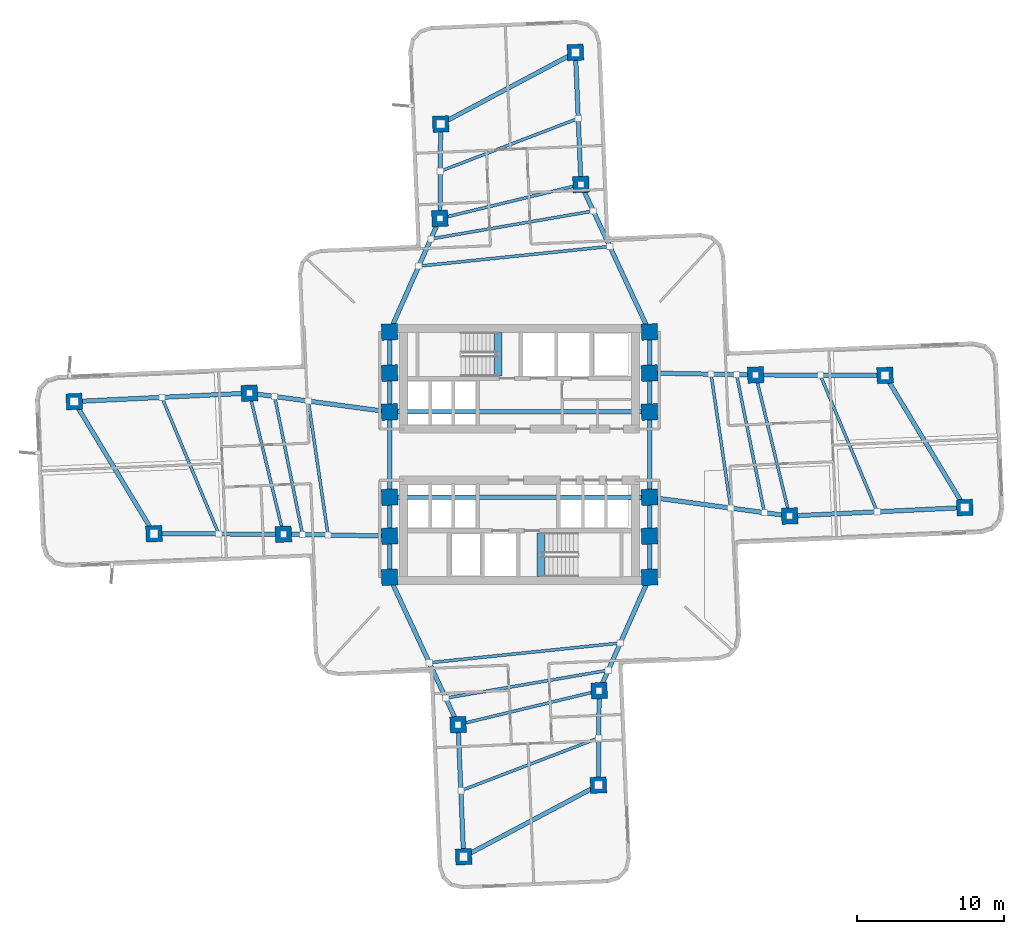
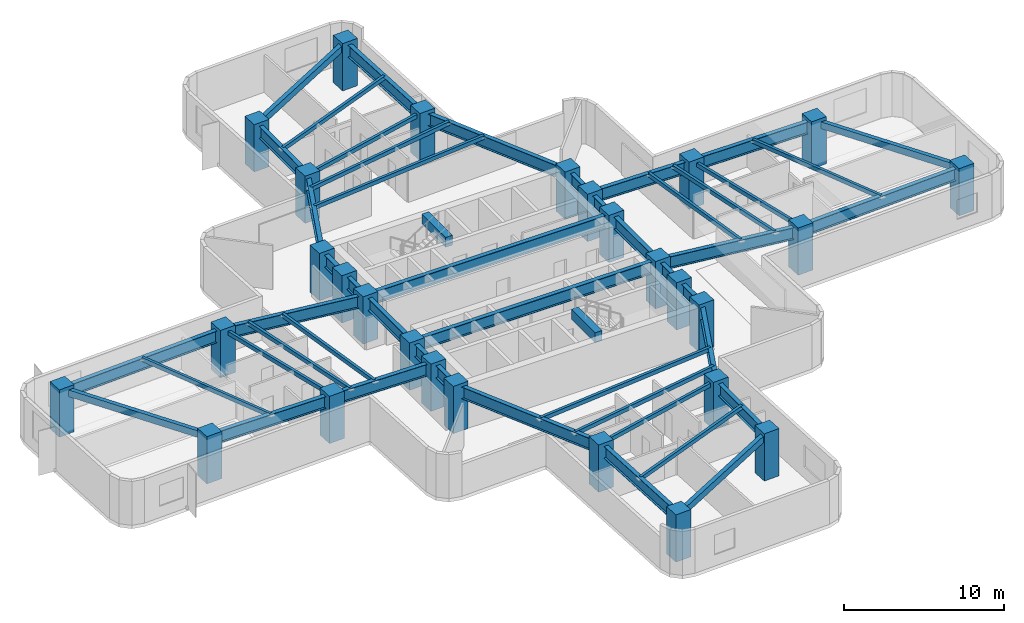
# One storey, part 1 of 10: 50 beams, 28 columns.
"""IFC4 building model written with IfcOpenShell, lengths in metres."""

from ifc_helpers import new_model, si_unit, direction, frame, origin, origin_2d, place, context, subcontext, project, spatial, rectangle, hollow_rectangle, i_section, extrude, material, material_profile, profile_set, type_object, element, save


model = new_model("IFC4")

# Units and contexts
model_context = context("Model", 3, precision=1e-05, world=origin(), true_north=direction((0.0, 1.0)))
body_context = subcontext(model_context, "Body", "Model", "MODEL_VIEW")
ifc_project = project(units=[si_unit("LENGTHUNIT", "METRE"), si_unit("AREAUNIT", "SQUARE_METRE"), si_unit("VOLUMEUNIT", "CUBIC_METRE"), si_unit("PLANEANGLEUNIT", "RADIAN"), si_unit("MASSUNIT", "GRAM", prefix="KILO")], contexts=[model_context])

# Site, building, storey
site_placement = place(None, origin())
site = spatial("IfcSite", under=ifc_project, at=site_placement, CompositionType="ELEMENT")
building_placement = place(site_placement, origin())
building = spatial("IfcBuilding", under=site, at=building_placement, Name="Solmarez Civic Tower", CompositionType="ELEMENT")
storey_placement = place(building_placement, frame((0.0, 0.0, 42.47998046875)))
storey = spatial("IfcBuildingStorey", under=building, at=storey_placement, Name="L10", CompositionType="ELEMENT", Elevation=42.47998046875)

# Columns
ifc_material_1 = material(Name="Concrete C60/75", Category="concrete")
ifc_material_profile_1 = material_profile(ifc_material_1, rectangle(XDim=1.10009765625, YDim=1.10009765625, at=origin_2d()), Name="RC1100X1100")
ifc_profile_set_1 = profile_set([ifc_material_profile_1], Name="Concrete C60/75")
column_type = type_object("IfcColumnType", Name="COL-RC1100", PredefinedType="COLUMN", material=ifc_profile_set_1)
for number, where, z_axis, x_axis, name in (
    (1, (-8.85009765625, -5.550048828125, 0.0), (0.0, 0.0, 1.0), (0.999122830099, 0.041875653729, 0.0), "L10 Structural Column HC1"),
    (2, (-8.85009765625, -2.89990234375, 0.0), (0.0, 0.0, 1.0), (0.999122830099, 0.041875653729, 0.0), "L10 Structural Column HC2"),
    (3, (-8.85009765625, 2.89990234375, 0.0), (0.0, 0.0, 1.0), (0.999122830099, 0.041875653729, 0.0), "L10 Structural Column HC3"),
    (4, (-8.85009765625, 5.550048828125, 0.0), (0.0, 0.0, 1.0), (0.999122830099, 0.041875653729, 0.0), "L10 Structural Column HC4"),
    (5, (8.85009765625, -5.550048828125, 0.0), (0.0, 0.0, 1.0), (0.999122830099, 0.041875653729, 0.0), "L10 Structural Column HC5"),
    (6, (8.85009765625, -2.89990234375, 0.0), (0.0, 0.0, 1.0), (0.999122830099, 0.041875653729, 0.0), "L10 Structural Column HC6"),
    (7, (8.85009765625, 2.89990234375, 0.0), (0.0, 0.0, 1.0), (0.999122830099, 0.041875653729, 0.0), "L10 Structural Column HC7"),
    (8, (8.85009765625, 5.550048828125, 0.0), (0.0, 0.0, 1.0), (0.999122830099, 0.041875653729, 0.0), "L10 Structural Column HC8"),
    (9, (-8.85009765625, 8.35009765625, 0.0), (0.0, 0.0, 1.0), (0.999122830099, 0.041875653729, 0.0), "L10 Structural Column HC9"),
    (10, (8.85009765625, -8.35009765625, 0.0), (0.0, 0.0, 1.0), (0.999122830099, 0.041875653729, 0.0), "L10 Structural Column HC10"),
    (11, (8.85009765625, 8.35009765625, 0.0), (0.0, 0.0, 1.0), (0.999122830099, 0.041875653729, 0.0), "L10 Structural Column HC11"),
    (12, (-8.85009765625, -8.35009765625, 0.0), (0.0, 0.0, 1.0), (0.999122830099, 0.041875653729, 0.0), "L10 Structural Column HC12"),
    (13, (18.39111328125, -4.18408203125, 0.0), (0.0, 0.0, 1.0), (0.999122830099, 0.041875653729, 0.0), "L10 Structural Column EA11"),
    (14, (16.075927734375, 5.4208984375, 0.0), (0.0, 0.0, 1.0), (0.999122830099, 0.041875653729, 0.0), "L10 Structural Column EA12"),
    (15, (30.318115234375, -3.60888671875, 0.0), (0.0, 0.0, 1.0), (0.999122830099, 0.041875653729, 0.0), "L10 Structural Column EA21"),
    (16, (24.887939453125, 5.39306640625, 0.0), (0.0, 0.0, 1.0), (0.999122830099, 0.041875653729, 0.0), "L10 Structural Column EA22"),
    (17, (4.18408203125, 18.39111328125, 0.0), (0.0, 0.0, 1.0), (0.999122830099, 0.041875653729, 0.0), "L10 Structural Column NA11"),
    (18, (-5.4208984375, 16.075927734375, 0.0), (0.0, 0.0, 1.0), (0.999122830099, 0.041875653729, 0.0), "L10 Structural Column NA12"),
    (19, (3.806884765625, 27.383056640625, 0.0), (0.0, 0.0, 1.0), (0.999122830099, 0.041875653729, 0.0), "L10 Structural Column NA21"),
    (20, (-5.3720703125, 22.507080078125, 0.0), (0.0, 0.0, 1.0), (0.999122830099, 0.041875653729, 0.0), "L10 Structural Column NA22"),
    (21, (-18.39111328125, 4.18408203125, 0.0), (0.0, 0.0, 1.0), (0.999122830099, 0.041875653729, 0.0), "L10 Structural Column WA11"),
    (22, (-16.075927734375, -5.4208984375, 0.0), (0.0, 0.0, 1.0), (0.999122830099, 0.041875653729, 0.0), "L10 Structural Column WA12"),
    (23, (-30.318115234375, 3.60888671875, 0.0), (0.0, 0.0, 1.0), (0.999122830099, 0.041875653729, 0.0), "L10 Structural Column WA21"),
    (24, (-24.887939453125, -5.39306640625, 0.0), (0.0, 0.0, 1.0), (0.999122830099, 0.041875653729, 0.0), "L10 Structural Column WA22"),
    (25, (-4.18408203125, -18.39111328125, 0.0), (0.0, 0.0, 1.0), (0.999122830099, 0.041875653729, 0.0), "L10 Structural Column SA11"),
    (26, (5.4208984375, -16.075927734375, 0.0), (0.0, 0.0, 1.0), (0.999122830099, 0.041875653729, 0.0), "L10 Structural Column SA12"),
    (27, (-3.806884765625, -27.383056640625, 0.0), (0.0, 0.0, 1.0), (0.999122830099, 0.041875653729, 0.0), "L10 Structural Column SA21"),
    (28, (5.3720703125, -22.507080078125, 0.0), (0.0, 0.0, 1.0), (0.999122830099, 0.041875653729, 0.0), "L10 Structural Column SA22"),
):
    element("IfcColumn", number, at=place(storey_placement, frame(where, z_axis=z_axis, x_axis=x_axis)), inside=storey, type_object=column_type, Name=name, PredefinedType="COLUMN", context=body_context, shape_type="SweptSolid", body=[
        extrude(rectangle(XDim=1.10009765625, YDim=1.10009765625, at=origin_2d()), origin(), (0.0, 0.0, 1.0), 3.60009765625),
    ])

# Beams
ifc_material_2 = material(Name="Steel S355", Category="steel")
ifc_material_profile_2 = material_profile(ifc_material_2, hollow_rectangle(XDim=0.199951171875, YDim=0.300048828125, WallThickness=0.011962890625, at=origin_2d()), Name="HSS300X200X12")
ifc_profile_set_2 = profile_set([ifc_material_profile_2], Name="Steel S355")
beam_type_1 = type_object("IfcBeamType", Name="BM-JS-HSS300X200", PredefinedType="JOIST", material=ifc_profile_set_2)
beam_1_placement = place(storey_placement, frame((18.39111328125, -4.18408203125, 3.18994140625), z_axis=(-0.234328919867, 0.97215737271, 0.0), x_axis=(-0.97215737271, -0.234328919867, 0.0)))
element("IfcBeam", 29, at=beam_1_placement, inside=storey, type_object=beam_type_1, Name="L10 Secondary Floor Joist BM-L10-EA-T1", PredefinedType="JOIST", context=body_context, shape_type="SweptSolid", body=[
    extrude(hollow_rectangle(XDim=0.199951171875, YDim=0.300048828125, WallThickness=0.011962890625, at=origin_2d()), origin(), (0.0, 0.0, 1.0), 9.880126953125),
])
beam_2_placement = place(storey_placement, frame((24.35498046875, -3.89697265625, 3.18994140625), z_axis=(-0.384310898391, 0.923203733408, 0.0), x_axis=(-0.923203733408, -0.384310898391, 0.0)))
element("IfcBeam", 30, at=beam_2_placement, inside=storey, type_object=beam_type_1, Name="L10 Secondary Floor Joist JS-L10-EA-M2", PredefinedType="JOIST", context=body_context, shape_type="SweptSolid", body=[
    extrude(hollow_rectangle(XDim=0.199951171875, YDim=0.300048828125, WallThickness=0.011962890625, at=origin_2d()), origin(), (0.0, 0.0, 1.0), 10.077880859375),
])
beam_3_placement = place(storey_placement, frame((14.384033203125, -3.64501953125, 3.18994140625), z_axis=(-0.145687649447, 0.989330636743, 0.0), x_axis=(-0.989330636743, -0.145687649447, 0.0)))
element("IfcBeam", 31, at=beam_3_placement, inside=storey, type_object=beam_type_1, Name="L10 Secondary Floor Joist JS-L10-EA-M11", PredefinedType="JOIST", context=body_context, shape_type="SweptSolid", body=[
    extrude(hollow_rectangle(XDim=0.199951171875, YDim=0.300048828125, WallThickness=0.011962890625, at=origin_2d()), origin(), (0.0, 0.0, 1.0), 9.218505859375),
])
beam_4_placement = place(storey_placement, frame((16.674072265625, -3.952880859375, 3.18994140625), z_axis=(-0.198099134772, 0.980181989634, 0.0), x_axis=(-0.980181989634, -0.198099134772, 0.0)))
element("IfcBeam", 32, at=beam_4_placement, inside=storey, type_object=beam_type_1, Name="L10 Secondary Floor Joist JS-L10-EA-M12", PredefinedType="JOIST", context=body_context, shape_type="SweptSolid", body=[
    extrude(hollow_rectangle(XDim=0.199951171875, YDim=0.300048828125, WallThickness=0.011962890625, at=origin_2d()), origin(), (0.0, 0.0, 1.0), 9.5869140625),
])
beam_5_placement = place(storey_placement, frame((4.18408203125, 18.39111328125, 3.18994140625), z_axis=(-0.97215737271, -0.234328919867, 0.0), x_axis=(0.234328919867, -0.97215737271, 0.0)))
element("IfcBeam", 33, at=beam_5_placement, inside=storey, type_object=beam_type_1, Name="L10 Secondary Floor Joist BM-L10-NA-T1", PredefinedType="JOIST", context=body_context, shape_type="SweptSolid", body=[
    extrude(hollow_rectangle(XDim=0.199951171875, YDim=0.300048828125, WallThickness=0.011962890625, at=origin_2d()), origin(), (0.0, 0.0, 1.0), 9.880126953125),
])
beam_6_placement = place(storey_placement, frame((3.9951171875, 22.886962890625, 3.18994140625), z_axis=(-0.933878315551, -0.357590955903, 0.0), x_axis=(0.357590955903, -0.933878315551, 0.0)))
element("IfcBeam", 34, at=beam_6_placement, inside=storey, type_object=beam_type_1, Name="L10 Secondary Floor Joist JS-L10-NA-M2", PredefinedType="JOIST", context=body_context, shape_type="SweptSolid", body=[
    extrude(hollow_rectangle(XDim=0.199951171875, YDim=0.300048828125, WallThickness=0.011962890625, at=origin_2d()), origin(), (0.0, 0.0, 1.0), 10.05615234375),
])
beam_7_placement = place(storey_placement, frame((6.14404296875, 14.174072265625, 3.18994140625), z_axis=(-0.9947100999, -0.102722038325, 0.0), x_axis=(0.102722038325, -0.9947100999, 0.0)))
element("IfcBeam", 35, at=beam_7_placement, inside=storey, type_object=beam_type_1, Name="L10 Secondary Floor Joist JS-L10-NA-M11", PredefinedType="JOIST", context=body_context, shape_type="SweptSolid", body=[
    extrude(hollow_rectangle(XDim=0.199951171875, YDim=0.300048828125, WallThickness=0.011962890625, at=origin_2d()), origin(), (0.0, 0.0, 1.0), 13.07421875),
])
beam_8_placement = place(storey_placement, frame((5.02392578125, 16.583984375, 3.18994140625), z_axis=(-0.985583934907, -0.169187195889, 0.0), x_axis=(0.169187195889, -0.985583934907, 0.0)))
element("IfcBeam", 36, at=beam_8_placement, inside=storey, type_object=beam_type_1, Name="L10 Secondary Floor Joist JS-L10-NA-M12", PredefinedType="JOIST", context=body_context, shape_type="SweptSolid", body=[
    extrude(hollow_rectangle(XDim=0.199951171875, YDim=0.300048828125, WallThickness=0.011962890625, at=origin_2d()), origin(), (0.0, 0.0, 1.0), 11.223876953125),
])
beam_9_placement = place(storey_placement, frame((-18.39111328125, 4.18408203125, 3.18994140625), z_axis=(0.234328919867, -0.97215737271, 0.0), x_axis=(0.97215737271, 0.234328919867, 0.0)))
element("IfcBeam", 37, at=beam_9_placement, inside=storey, type_object=beam_type_1, Name="L10 Secondary Floor Joist BM-L10-WA-T1", PredefinedType="JOIST", context=body_context, shape_type="SweptSolid", body=[
    extrude(hollow_rectangle(XDim=0.199951171875, YDim=0.300048828125, WallThickness=0.011962890625, at=origin_2d()), origin(), (0.0, 0.0, 1.0), 9.880126953125),
])
beam_10_placement = place(storey_placement, frame((-24.35498046875, 3.89697265625, 3.18994140625), z_axis=(0.384310898391, -0.923203733408, 0.0), x_axis=(0.923203733408, 0.384310898391, 0.0)))
element("IfcBeam", 38, at=beam_10_placement, inside=storey, type_object=beam_type_1, Name="L10 Secondary Floor Joist JS-L10-WA-M2", PredefinedType="JOIST", context=body_context, shape_type="SweptSolid", body=[
    extrude(hollow_rectangle(XDim=0.199951171875, YDim=0.300048828125, WallThickness=0.011962890625, at=origin_2d()), origin(), (0.0, 0.0, 1.0), 10.077880859375),
])
beam_11_placement = place(storey_placement, frame((-14.384033203125, 3.64501953125, 3.18994140625), z_axis=(0.145687649447, -0.989330636743, 0.0), x_axis=(0.989330636743, 0.145687649447, 0.0)))
element("IfcBeam", 39, at=beam_11_placement, inside=storey, type_object=beam_type_1, Name="L10 Secondary Floor Joist JS-L10-WA-M11", PredefinedType="JOIST", context=body_context, shape_type="SweptSolid", body=[
    extrude(hollow_rectangle(XDim=0.199951171875, YDim=0.300048828125, WallThickness=0.011962890625, at=origin_2d()), origin(), (0.0, 0.0, 1.0), 9.218505859375),
])
beam_12_placement = place(storey_placement, frame((-16.674072265625, 3.952880859375, 3.18994140625), z_axis=(0.198099134772, -0.980181989634, 0.0), x_axis=(0.980181989634, 0.198099134772, 0.0)))
element("IfcBeam", 40, at=beam_12_placement, inside=storey, type_object=beam_type_1, Name="L10 Secondary Floor Joist JS-L10-WA-M12", PredefinedType="JOIST", context=body_context, shape_type="SweptSolid", body=[
    extrude(hollow_rectangle(XDim=0.199951171875, YDim=0.300048828125, WallThickness=0.011962890625, at=origin_2d()), origin(), (0.0, 0.0, 1.0), 9.5869140625),
])
beam_13_placement = place(storey_placement, frame((-4.18408203125, -18.39111328125, 3.18994140625), z_axis=(0.97215737271, 0.234328919867, 0.0), x_axis=(-0.234328919867, 0.97215737271, 0.0)))
element("IfcBeam", 41, at=beam_13_placement, inside=storey, type_object=beam_type_1, Name="L10 Secondary Floor Joist BM-L10-SA-T1", PredefinedType="JOIST", context=body_context, shape_type="SweptSolid", body=[
    extrude(hollow_rectangle(XDim=0.199951171875, YDim=0.300048828125, WallThickness=0.011962890625, at=origin_2d()), origin(), (0.0, 0.0, 1.0), 9.880126953125),
])
beam_14_placement = place(storey_placement, frame((-3.9951171875, -22.886962890625, 3.18994140625), z_axis=(0.933878315551, 0.357590955903, 0.0), x_axis=(-0.357590955903, 0.933878315551, 0.0)))
element("IfcBeam", 42, at=beam_14_placement, inside=storey, type_object=beam_type_1, Name="L10 Secondary Floor Joist JS-L10-SA-M2", PredefinedType="JOIST", context=body_context, shape_type="SweptSolid", body=[
    extrude(hollow_rectangle(XDim=0.199951171875, YDim=0.300048828125, WallThickness=0.011962890625, at=origin_2d()), origin(), (0.0, 0.0, 1.0), 10.05615234375),
])
beam_15_placement = place(storey_placement, frame((-6.14404296875, -14.174072265625, 3.18994140625), z_axis=(0.9947100999, 0.102722038325, 0.0), x_axis=(-0.102722038325, 0.9947100999, 0.0)))
element("IfcBeam", 43, at=beam_15_placement, inside=storey, type_object=beam_type_1, Name="L10 Secondary Floor Joist JS-L10-SA-M11", PredefinedType="JOIST", context=body_context, shape_type="SweptSolid", body=[
    extrude(hollow_rectangle(XDim=0.199951171875, YDim=0.300048828125, WallThickness=0.011962890625, at=origin_2d()), origin(), (0.0, 0.0, 1.0), 13.07421875),
])
beam_16_placement = place(storey_placement, frame((-5.02392578125, -16.583984375, 3.18994140625), z_axis=(0.985583934907, 0.169187195889, 0.0), x_axis=(-0.169187195889, 0.985583934907, 0.0)))
element("IfcBeam", 44, at=beam_16_placement, inside=storey, type_object=beam_type_1, Name="L10 Secondary Floor Joist JS-L10-SA-M12", PredefinedType="JOIST", context=body_context, shape_type="SweptSolid", body=[
    extrude(hollow_rectangle(XDim=0.199951171875, YDim=0.300048828125, WallThickness=0.011962890625, at=origin_2d()), origin(), (0.0, 0.0, 1.0), 11.223876953125),
])
ifc_material_3 = material(Name="Concrete C50/60", Category="concrete")
ifc_material_profile_3 = material_profile(ifc_material_3, rectangle(XDim=0.5, YDim=0.75, at=origin_2d()), Name="RC500X750")
ifc_profile_set_3 = profile_set([ifc_material_profile_3], Name="Concrete C50/60")
beam_type_2 = type_object("IfcBeamType", Name="BM-PR-RC500X750", PredefinedType="BEAM", material=ifc_profile_set_3)
for number, where, z_axis, x_axis, name in (
    (45, (-1.449951171875, 5.340087890625, 3.23291015625), (0.0, 1.0, 0.0), (-1.0, 0.0, 0.0), "L10 North Stair Threshold Beam"),
    (46, (1.449951171875, -8.300048828125, 3.23291015625), (0.0, 1.0, 0.0), (-1.0, 0.0, 0.0), "L10 South Stair Threshold Beam"),
):
    element("IfcBeam", number, at=place(storey_placement, frame(where, z_axis=z_axis, x_axis=x_axis)), inside=storey, type_object=beam_type_2, Name=name, PredefinedType="BEAM", context=body_context, shape_type="SweptSolid", body=[
        extrude(rectangle(XDim=0.5, YDim=0.75, at=origin_2d()), origin(), (0.0, 0.0, 1.0), 2.9599609375),
    ])
ifc_material_profile_4 = material_profile(ifc_material_2, i_section(OverallWidth=0.303955078125, OverallDepth=0.910888671875, WebThickness=0.015869140625, FlangeThickness=0.02392578125, at=origin_2d()), Name="W36X150")
ifc_profile_set_4 = profile_set([ifc_material_profile_4], Name="Steel S355")
beam_type_3 = type_object("IfcBeamType", Name="BM-PR-W36X150", PredefinedType="BEAM", material=ifc_profile_set_4)
beam_17_placement = place(storey_placement, frame((8.85009765625, -2.89990234375, 2.884033203125), z_axis=(0.991063240718, -0.133392851745, 0.0), x_axis=(0.133392851745, 0.991063240718, 0.0)))
element("IfcBeam", 47, at=beam_17_placement, inside=storey, type_object=beam_type_3, Name="L10 Primary Floor Beam BM-L10-EA-R1A", PredefinedType="BEAM", context=body_context, shape_type="SweptSolid", body=[
    extrude(i_section(OverallWidth=0.303955078125, OverallDepth=0.910888671875, WebThickness=0.015869140625, FlangeThickness=0.02392578125, at=origin_2d()), origin(), (0.0, 0.0, 1.0), 9.626953125),
])
beam_18_placement = place(storey_placement, frame((8.85009765625, 5.550048828125, 2.884033203125), z_axis=(0.999840308455, -0.017870578882, 0.0), x_axis=(0.017870578882, 0.999840308455, 0.0)))
element("IfcBeam", 48, at=beam_18_placement, inside=storey, type_object=beam_type_3, Name="L10 Primary Floor Beam BM-L10-EA-R1B", PredefinedType="BEAM", context=body_context, shape_type="SweptSolid", body=[
    extrude(i_section(OverallWidth=0.303955078125, OverallDepth=0.910888671875, WebThickness=0.015869140625, FlangeThickness=0.02392578125, at=origin_2d()), origin(), (0.0, 0.0, 1.0), 7.22705078125),
])
beam_19_placement = place(storey_placement, frame((18.39111328125, -4.18408203125, 2.884033203125), z_axis=(0.998839135977, 0.048170327398, 0.0), x_axis=(-0.048170327398, 0.998839135977, 0.0)))
element("IfcBeam", 49, at=beam_19_placement, inside=storey, type_object=beam_type_3, Name="L10 Primary Floor Beam BM-L10-EA-R2A", PredefinedType="BEAM", context=body_context, shape_type="SweptSolid", body=[
    extrude(i_section(OverallWidth=0.303955078125, OverallDepth=0.910888671875, WebThickness=0.015869140625, FlangeThickness=0.02392578125, at=origin_2d()), origin(), (0.0, 0.0, 1.0), 11.94091796875),
])
beam_20_placement = place(storey_placement, frame((16.075927734375, 5.4208984375, 2.884033203125), z_axis=(0.99999501223, -0.003158403928, 0.0), x_axis=(0.003158403928, 0.99999501223, 0.0)))
element("IfcBeam", 50, at=beam_20_placement, inside=storey, type_object=beam_type_3, Name="L10 Primary Floor Beam BM-L10-EA-R2B", PredefinedType="BEAM", context=body_context, shape_type="SweptSolid", body=[
    extrude(i_section(OverallWidth=0.303955078125, OverallDepth=0.910888671875, WebThickness=0.015869140625, FlangeThickness=0.02392578125, at=origin_2d()), origin(), (0.0, 0.0, 1.0), 8.81201171875),
])
beam_21_placement = place(storey_placement, frame((8.85009765625, 8.35009765625, 2.884033203125), z_axis=(-0.421417065364, 0.906866945599, 0.0), x_axis=(-0.906866945599, -0.421417065364, 0.0)))
element("IfcBeam", 51, at=beam_21_placement, inside=storey, type_object=beam_type_3, Name="L10 Primary Floor Beam BM-L10-NA-R1A", PredefinedType="BEAM", context=body_context, shape_type="SweptSolid", body=[
    extrude(i_section(OverallWidth=0.303955078125, OverallDepth=0.910888671875, WebThickness=0.015869140625, FlangeThickness=0.02392578125, at=origin_2d()), origin(), (0.0, 0.0, 1.0), 11.072265625),
])
beam_22_placement = place(storey_placement, frame((-8.85009765625, 8.35009765625, 2.884033203125), z_axis=(0.405693556952, 0.914009156326, 0.0), x_axis=(-0.914009156326, 0.405693556952, 0.0)))
element("IfcBeam", 52, at=beam_22_placement, inside=storey, type_object=beam_type_3, Name="L10 Primary Floor Beam BM-L10-NA-R1B", PredefinedType="BEAM", context=body_context, shape_type="SweptSolid", body=[
    extrude(i_section(OverallWidth=0.303955078125, OverallDepth=0.910888671875, WebThickness=0.015869140625, FlangeThickness=0.02392578125, at=origin_2d()), origin(), (0.0, 0.0, 1.0), 8.45263671875),
])
beam_23_placement = place(storey_placement, frame((4.18408203125, 18.39111328125, 2.884033203125), z_axis=(-0.041911499832, 0.999121327058, 0.0), x_axis=(-0.999121327058, -0.041911499832, 0.0)))
element("IfcBeam", 53, at=beam_23_placement, inside=storey, type_object=beam_type_3, Name="L10 Primary Floor Beam BM-L10-NA-R2A", PredefinedType="BEAM", context=body_context, shape_type="SweptSolid", body=[
    extrude(i_section(OverallWidth=0.303955078125, OverallDepth=0.910888671875, WebThickness=0.015869140625, FlangeThickness=0.02392578125, at=origin_2d()), origin(), (0.0, 0.0, 1.0), 8.999755859375),
])
beam_24_placement = place(storey_placement, frame((-5.4208984375, 16.075927734375, 2.884033203125), z_axis=(0.007592219108, 0.999971178689, 0.0), x_axis=(-0.999971178689, 0.007592219108, 0.0)))
element("IfcBeam", 54, at=beam_24_placement, inside=storey, type_object=beam_type_3, Name="L10 Primary Floor Beam BM-L10-NA-R2B", PredefinedType="BEAM", context=body_context, shape_type="SweptSolid", body=[
    extrude(i_section(OverallWidth=0.303955078125, OverallDepth=0.910888671875, WebThickness=0.015869140625, FlangeThickness=0.02392578125, at=origin_2d()), origin(), (0.0, 0.0, 1.0), 6.431396484375),
])
beam_25_placement = place(storey_placement, frame((-8.85009765625, 2.89990234375, 2.884033203125), z_axis=(-0.991063240718, 0.133392851745, 0.0), x_axis=(-0.133392851745, -0.991063240718, 0.0)))
element("IfcBeam", 55, at=beam_25_placement, inside=storey, type_object=beam_type_3, Name="L10 Primary Floor Beam BM-L10-WA-R1A", PredefinedType="BEAM", context=body_context, shape_type="SweptSolid", body=[
    extrude(i_section(OverallWidth=0.303955078125, OverallDepth=0.910888671875, WebThickness=0.015869140625, FlangeThickness=0.02392578125, at=origin_2d()), origin(), (0.0, 0.0, 1.0), 9.626953125),
])
beam_26_placement = place(storey_placement, frame((-8.85009765625, -5.550048828125, 2.884033203125), z_axis=(-0.999840308455, 0.017870578882, 0.0), x_axis=(-0.017870578882, -0.999840308455, 0.0)))
element("IfcBeam", 56, at=beam_26_placement, inside=storey, type_object=beam_type_3, Name="L10 Primary Floor Beam BM-L10-WA-R1B", PredefinedType="BEAM", context=body_context, shape_type="SweptSolid", body=[
    extrude(i_section(OverallWidth=0.303955078125, OverallDepth=0.910888671875, WebThickness=0.015869140625, FlangeThickness=0.02392578125, at=origin_2d()), origin(), (0.0, 0.0, 1.0), 7.22705078125),
])
beam_27_placement = place(storey_placement, frame((-18.39111328125, 4.18408203125, 2.884033203125), z_axis=(-0.998839135977, -0.048170327398, 0.0), x_axis=(0.048170327398, -0.998839135977, 0.0)))
element("IfcBeam", 57, at=beam_27_placement, inside=storey, type_object=beam_type_3, Name="L10 Primary Floor Beam BM-L10-WA-R2A", PredefinedType="BEAM", context=body_context, shape_type="SweptSolid", body=[
    extrude(i_section(OverallWidth=0.303955078125, OverallDepth=0.910888671875, WebThickness=0.015869140625, FlangeThickness=0.02392578125, at=origin_2d()), origin(), (0.0, 0.0, 1.0), 11.94091796875),
])
beam_28_placement = place(storey_placement, frame((-16.075927734375, -5.4208984375, 2.884033203125), z_axis=(-0.99999501223, 0.003158403928, 0.0), x_axis=(-0.003158403928, -0.99999501223, 0.0)))
element("IfcBeam", 58, at=beam_28_placement, inside=storey, type_object=beam_type_3, Name="L10 Primary Floor Beam BM-L10-WA-R2B", PredefinedType="BEAM", context=body_context, shape_type="SweptSolid", body=[
    extrude(i_section(OverallWidth=0.303955078125, OverallDepth=0.910888671875, WebThickness=0.015869140625, FlangeThickness=0.02392578125, at=origin_2d()), origin(), (0.0, 0.0, 1.0), 8.81201171875),
])
beam_29_placement = place(storey_placement, frame((-8.85009765625, -8.35009765625, 2.884033203125), z_axis=(0.421417065364, -0.906866945599, 0.0), x_axis=(0.906866945599, 0.421417065364, 0.0)))
element("IfcBeam", 59, at=beam_29_placement, inside=storey, type_object=beam_type_3, Name="L10 Primary Floor Beam BM-L10-SA-R1A", PredefinedType="BEAM", context=body_context, shape_type="SweptSolid", body=[
    extrude(i_section(OverallWidth=0.303955078125, OverallDepth=0.910888671875, WebThickness=0.015869140625, FlangeThickness=0.02392578125, at=origin_2d()), origin(), (0.0, 0.0, 1.0), 11.072265625),
])
beam_30_placement = place(storey_placement, frame((8.85009765625, -8.35009765625, 2.884033203125), z_axis=(-0.405693556952, -0.914009156326, 0.0), x_axis=(0.914009156326, -0.405693556952, 0.0)))
element("IfcBeam", 60, at=beam_30_placement, inside=storey, type_object=beam_type_3, Name="L10 Primary Floor Beam BM-L10-SA-R1B", PredefinedType="BEAM", context=body_context, shape_type="SweptSolid", body=[
    extrude(i_section(OverallWidth=0.303955078125, OverallDepth=0.910888671875, WebThickness=0.015869140625, FlangeThickness=0.02392578125, at=origin_2d()), origin(), (0.0, 0.0, 1.0), 8.45263671875),
])
beam_31_placement = place(storey_placement, frame((-4.18408203125, -18.39111328125, 2.884033203125), z_axis=(0.041911499832, -0.999121327058, 0.0), x_axis=(0.999121327058, 0.041911499832, 0.0)))
element("IfcBeam", 61, at=beam_31_placement, inside=storey, type_object=beam_type_3, Name="L10 Primary Floor Beam BM-L10-SA-R2A", PredefinedType="BEAM", context=body_context, shape_type="SweptSolid", body=[
    extrude(i_section(OverallWidth=0.303955078125, OverallDepth=0.910888671875, WebThickness=0.015869140625, FlangeThickness=0.02392578125, at=origin_2d()), origin(), (0.0, 0.0, 1.0), 8.999755859375),
])
beam_32_placement = place(storey_placement, frame((5.4208984375, -16.075927734375, 2.884033203125), z_axis=(-0.007592219108, -0.999971178689, 0.0), x_axis=(0.999971178689, -0.007592219108, 0.0)))
element("IfcBeam", 62, at=beam_32_placement, inside=storey, type_object=beam_type_3, Name="L10 Primary Floor Beam BM-L10-SA-R2B", PredefinedType="BEAM", context=body_context, shape_type="SweptSolid", body=[
    extrude(i_section(OverallWidth=0.303955078125, OverallDepth=0.910888671875, WebThickness=0.015869140625, FlangeThickness=0.02392578125, at=origin_2d()), origin(), (0.0, 0.0, 1.0), 6.431396484375),
])
ifc_material_profile_5 = material_profile(ifc_material_2, i_section(OverallWidth=0.306884765625, OverallDepth=0.927001953125, WebThickness=0.019287109375, FlangeThickness=0.031982421875, at=origin_2d()), Name="W36X194")
ifc_profile_set_5 = profile_set([ifc_material_profile_5], Name="Steel S355")
beam_type_4 = type_object("IfcBeamType", Name="BM-PR-W36X194", PredefinedType="BEAM", material=ifc_profile_set_5)
beam_33_placement = place(storey_placement, frame((-8.85009765625, -8.35009765625, 2.8759765625), z_axis=(0.0, 1.0, 0.0), x_axis=(-1.0, 0.0, 0.0)))
element("IfcBeam", 63, at=beam_33_placement, inside=storey, type_object=beam_type_4, Name="L10 Primary Floor Beam BM-L10-HC12-HC1", PredefinedType="BEAM", context=body_context, shape_type="SweptSolid", body=[
    extrude(i_section(OverallWidth=0.306884765625, OverallDepth=0.927001953125, WebThickness=0.019287109375, FlangeThickness=0.031982421875, at=origin_2d()), origin(), (0.0, 0.0, 1.0), 2.800048828125),
])
beam_34_placement = place(storey_placement, frame((-8.85009765625, -5.550048828125, 2.8759765625), z_axis=(0.0, 1.0, 0.0), x_axis=(-1.0, 0.0, 0.0)))
element("IfcBeam", 64, at=beam_34_placement, inside=storey, type_object=beam_type_4, Name="L10 Primary Floor Beam BM-L10-HC1-HC2", PredefinedType="BEAM", context=body_context, shape_type="SweptSolid", body=[
    extrude(i_section(OverallWidth=0.306884765625, OverallDepth=0.927001953125, WebThickness=0.019287109375, FlangeThickness=0.031982421875, at=origin_2d()), origin(), (0.0, 0.0, 1.0), 2.650146484375),
])
beam_35_placement = place(storey_placement, frame((-8.85009765625, -2.89990234375, 2.8759765625), z_axis=(0.0, 1.0, 0.0), x_axis=(-1.0, 0.0, 0.0)))
element("IfcBeam", 65, at=beam_35_placement, inside=storey, type_object=beam_type_4, Name="L10 Primary Floor Beam BM-L10-HC2-HC3", PredefinedType="BEAM", context=body_context, shape_type="SweptSolid", body=[
    extrude(i_section(OverallWidth=0.306884765625, OverallDepth=0.927001953125, WebThickness=0.019287109375, FlangeThickness=0.031982421875, at=origin_2d()), origin(), (0.0, 0.0, 1.0), 5.7998046875),
])
beam_36_placement = place(storey_placement, frame((-8.85009765625, 2.89990234375, 2.8759765625), z_axis=(0.0, 1.0, 0.0), x_axis=(-1.0, 0.0, 0.0)))
element("IfcBeam", 66, at=beam_36_placement, inside=storey, type_object=beam_type_4, Name="L10 Primary Floor Beam BM-L10-HC3-HC4", PredefinedType="BEAM", context=body_context, shape_type="SweptSolid", body=[
    extrude(i_section(OverallWidth=0.306884765625, OverallDepth=0.927001953125, WebThickness=0.019287109375, FlangeThickness=0.031982421875, at=origin_2d()), origin(), (0.0, 0.0, 1.0), 2.650146484375),
])
for number, where, z_axis, x_axis, name in (
    (67, (-8.85009765625, 5.550048828125, 2.8759765625), (0.0, 1.0, 0.0), (-1.0, 0.0, 0.0), "L10 Primary Floor Beam BM-L10-HC4-HC9"),
    (68, (8.85009765625, -8.35009765625, 2.8759765625), (0.0, 1.0, 0.0), (-1.0, 0.0, 0.0), "L10 Primary Floor Beam BM-L10-HC10-HC5"),
):
    element("IfcBeam", number, at=place(storey_placement, frame(where, z_axis=z_axis, x_axis=x_axis)), inside=storey, type_object=beam_type_4, Name=name, PredefinedType="BEAM", context=body_context, shape_type="SweptSolid", body=[
        extrude(i_section(OverallWidth=0.306884765625, OverallDepth=0.927001953125, WebThickness=0.019287109375, FlangeThickness=0.031982421875, at=origin_2d()), origin(), (0.0, 0.0, 1.0), 2.800048828125),
    ])
beam_37_placement = place(storey_placement, frame((8.85009765625, -5.550048828125, 2.8759765625), z_axis=(0.0, 1.0, 0.0), x_axis=(-1.0, 0.0, 0.0)))
element("IfcBeam", 69, at=beam_37_placement, inside=storey, type_object=beam_type_4, Name="L10 Primary Floor Beam BM-L10-HC5-HC6", PredefinedType="BEAM", context=body_context, shape_type="SweptSolid", body=[
    extrude(i_section(OverallWidth=0.306884765625, OverallDepth=0.927001953125, WebThickness=0.019287109375, FlangeThickness=0.031982421875, at=origin_2d()), origin(), (0.0, 0.0, 1.0), 2.650146484375),
])
beam_38_placement = place(storey_placement, frame((8.85009765625, -2.89990234375, 2.8759765625), z_axis=(0.0, 1.0, 0.0), x_axis=(-1.0, 0.0, 0.0)))
element("IfcBeam", 70, at=beam_38_placement, inside=storey, type_object=beam_type_4, Name="L10 Primary Floor Beam BM-L10-HC6-HC7", PredefinedType="BEAM", context=body_context, shape_type="SweptSolid", body=[
    extrude(i_section(OverallWidth=0.306884765625, OverallDepth=0.927001953125, WebThickness=0.019287109375, FlangeThickness=0.031982421875, at=origin_2d()), origin(), (0.0, 0.0, 1.0), 5.7998046875),
])
beam_39_placement = place(storey_placement, frame((8.85009765625, 2.89990234375, 2.8759765625), z_axis=(0.0, 1.0, 0.0), x_axis=(-1.0, 0.0, 0.0)))
element("IfcBeam", 71, at=beam_39_placement, inside=storey, type_object=beam_type_4, Name="L10 Primary Floor Beam BM-L10-HC7-HC8", PredefinedType="BEAM", context=body_context, shape_type="SweptSolid", body=[
    extrude(i_section(OverallWidth=0.306884765625, OverallDepth=0.927001953125, WebThickness=0.019287109375, FlangeThickness=0.031982421875, at=origin_2d()), origin(), (0.0, 0.0, 1.0), 2.650146484375),
])
beam_40_placement = place(storey_placement, frame((8.85009765625, 5.550048828125, 2.8759765625), z_axis=(0.0, 1.0, 0.0), x_axis=(-1.0, 0.0, 0.0)))
element("IfcBeam", 72, at=beam_40_placement, inside=storey, type_object=beam_type_4, Name="L10 Primary Floor Beam BM-L10-HC8-HC11", PredefinedType="BEAM", context=body_context, shape_type="SweptSolid", body=[
    extrude(i_section(OverallWidth=0.306884765625, OverallDepth=0.927001953125, WebThickness=0.019287109375, FlangeThickness=0.031982421875, at=origin_2d()), origin(), (0.0, 0.0, 1.0), 2.800048828125),
])
for number, where, z_axis, x_axis, name in (
    (73, (-8.85009765625, -2.89990234375, 2.8759765625), (1.0, 0.0, 0.0), (0.0, 1.0, 0.0), "L10 Primary Floor Beam BM-L10-HC2-HC6"),
    (74, (-8.85009765625, 2.89990234375, 2.8759765625), (1.0, 0.0, 0.0), (0.0, 1.0, 0.0), "L10 Primary Floor Beam BM-L10-HC3-HC7"),
):
    element("IfcBeam", number, at=place(storey_placement, frame(where, z_axis=z_axis, x_axis=x_axis)), inside=storey, type_object=beam_type_4, Name=name, PredefinedType="BEAM", context=body_context, shape_type="SweptSolid", body=[
        extrude(i_section(OverallWidth=0.306884765625, OverallDepth=0.927001953125, WebThickness=0.019287109375, FlangeThickness=0.031982421875, at=origin_2d()), origin(), (0.0, 0.0, 1.0), 17.7001953125),
    ])
ifc_material_profile_6 = material_profile(ifc_material_2, hollow_rectangle(XDim=0.300048828125, YDim=0.5, WallThickness=0.02001953125, at=origin_2d()), Name="HSS500X300X20")
ifc_profile_set_6 = profile_set([ifc_material_profile_6], Name="Steel S355")
beam_type_5 = type_object("IfcBeamType", Name="BM-SP-HSS500X300", PredefinedType="SPANDREL", material=ifc_profile_set_6)
beam_41_placement = place(storey_placement, frame((30.318115234375, -3.60888671875, 3.090087890625), z_axis=(-0.516522901024, 0.856273374991, 0.0), x_axis=(-0.856273374991, -0.516522901024, 0.0)))
element("IfcBeam", 75, at=beam_41_placement, inside=storey, type_object=beam_type_5, Name="L10 Perimeter Spandrel Beam BM-L10-EA-T2", PredefinedType="SPANDREL", context=body_context, shape_type="SweptSolid", body=[
    extrude(hollow_rectangle(XDim=0.300048828125, YDim=0.5, WallThickness=0.02001953125, at=origin_2d()), origin(), (0.0, 0.0, 1.0), 10.512939453125),
])
beam_42_placement = place(storey_placement, frame((3.806884765625, 27.383056640625, 3.090087890625), z_axis=(-0.883129404808, -0.469129464394, 0.0), x_axis=(0.469129464394, -0.883129404808, 0.0)))
element("IfcBeam", 76, at=beam_42_placement, inside=storey, type_object=beam_type_5, Name="L10 Perimeter Spandrel Beam BM-L10-NA-T2", PredefinedType="SPANDREL", context=body_context, shape_type="SweptSolid", body=[
    extrude(hollow_rectangle(XDim=0.300048828125, YDim=0.5, WallThickness=0.02001953125, at=origin_2d()), origin(), (0.0, 0.0, 1.0), 10.3935546875),
])
beam_43_placement = place(storey_placement, frame((-30.318115234375, 3.60888671875, 3.090087890625), z_axis=(0.516522901024, -0.856273374991, 0.0), x_axis=(0.856273374991, 0.516522901024, 0.0)))
element("IfcBeam", 77, at=beam_43_placement, inside=storey, type_object=beam_type_5, Name="L10 Perimeter Spandrel Beam BM-L10-WA-T2", PredefinedType="SPANDREL", context=body_context, shape_type="SweptSolid", body=[
    extrude(hollow_rectangle(XDim=0.300048828125, YDim=0.5, WallThickness=0.02001953125, at=origin_2d()), origin(), (0.0, 0.0, 1.0), 10.512939453125),
])
beam_44_placement = place(storey_placement, frame((-3.806884765625, -27.383056640625, 3.090087890625), z_axis=(0.883129404808, 0.469129464394, 0.0), x_axis=(-0.469129464394, 0.883129404808, 0.0)))
element("IfcBeam", 78, at=beam_44_placement, inside=storey, type_object=beam_type_5, Name="L10 Perimeter Spandrel Beam BM-L10-SA-T2", PredefinedType="SPANDREL", context=body_context, shape_type="SweptSolid", body=[
    extrude(hollow_rectangle(XDim=0.300048828125, YDim=0.5, WallThickness=0.02001953125, at=origin_2d()), origin(), (0.0, 0.0, 1.0), 10.3935546875),
])

save(model, "model.ifc")
